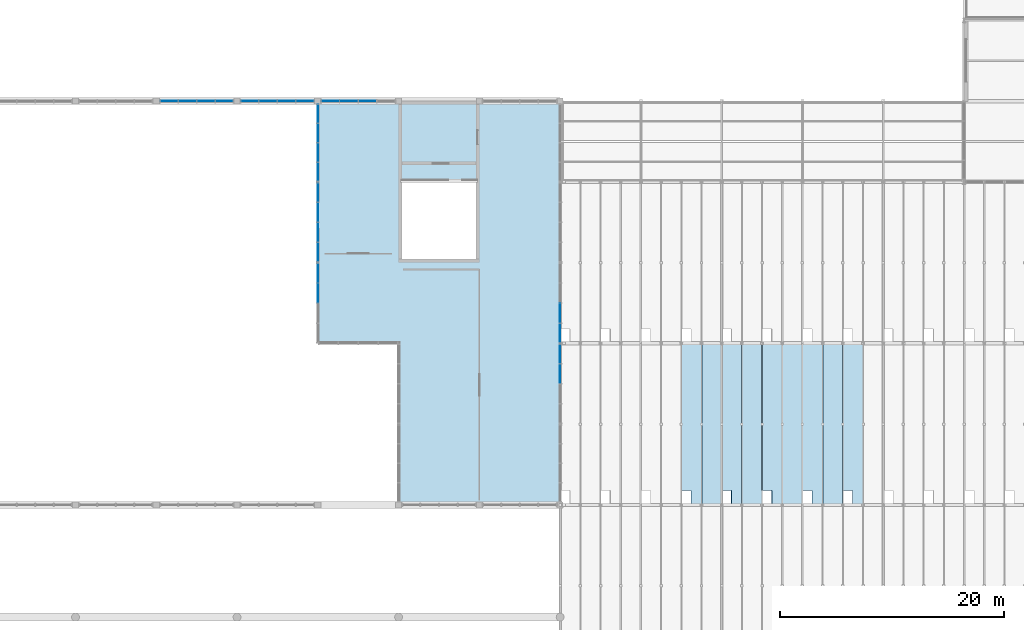
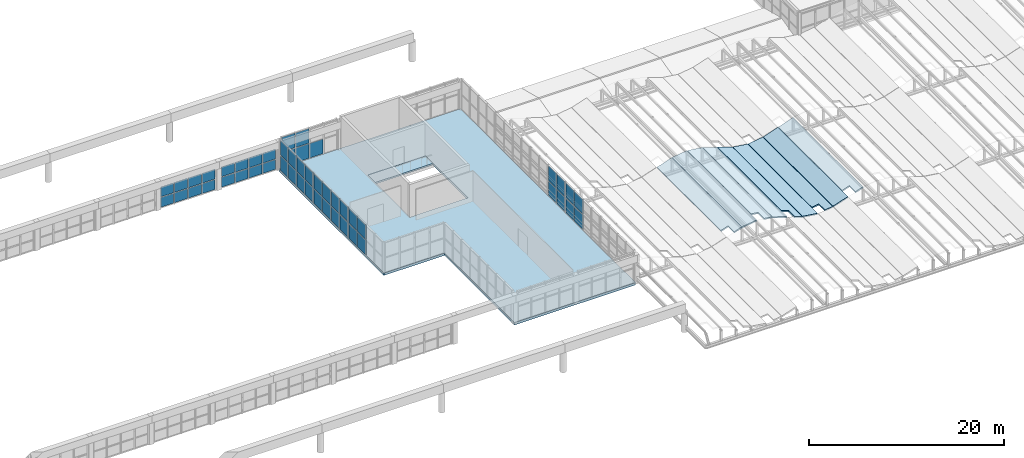
# One storey, part 55 of 83: 49 plates, 11 slabs, 8 elements without a shape of their own.
"""IFC4 building model written with IfcOpenShell, lengths in metres."""

from ifc_helpers import new_model, si_unit, direction, frame, origin, origin_2d, place, context, subcontext, project, spatial, polyline, rectangle, outline, extrude, material, layer, layer_set, type_object, element, aggregate, save


model = new_model("IFC4")

# Units and contexts
model_context = context("Model", 3, precision=1e-05, world=origin(), true_north=direction((0.0, 1.0)))
body_context = subcontext(model_context, "Body", "Model", "MODEL_VIEW")
ifc_project = project(units=[si_unit("LENGTHUNIT", "METRE"), si_unit("AREAUNIT", "SQUARE_METRE"), si_unit("VOLUMEUNIT", "CUBIC_METRE"), si_unit("PLANEANGLEUNIT", "RADIAN"), si_unit("MASSUNIT", "GRAM", prefix="KILO")], contexts=[model_context])

# Site, building, storey
site_placement = place(None, origin())
site = spatial("IfcSite", under=ifc_project, at=site_placement, CompositionType="ELEMENT")
building_placement = place(site_placement, origin())
building = spatial("IfcBuilding", under=site, at=building_placement, Name="Leyfeld Transit Interchange", CompositionType="ELEMENT")
storey_placement = place(building_placement, frame((0.0, 0.0, 5.39990234375)))
storey = spatial("IfcBuildingStorey", under=building, at=storey_placement, Name="L01", CompositionType="ELEMENT", Elevation=5.39990234375)

# Curtain wall, plates
ifc_material_1 = material(Name="Anodised aluminium EN AW-6060 T66", Category="aluminium")
curtain_wall_type = type_object("IfcCurtainWallType", Name="CW-SYS-ARC-7200", PredefinedType="NOTDEFINED", material=ifc_material_1)
curtain_wall_1_placement = place(storey_placement, origin())
curtain_wall_1 = element("IfcCurtainWall", 1, at=curtain_wall_1_placement, inside=storey, type_object=curtain_wall_type, Name="Curtain Wall CW-L01-076", PredefinedType="NOTDEFINED")
ifc_material_2 = material(Name="Triple low-E insulated glazing", Category="glass")
ifc_layer_1 = layer(ifc_material_2, 0.0439453125, Name="Triple low-E insulated glazing")
ifc_layer_set_1 = layer_set([ifc_layer_1], Name="Triple low-E insulated glazing")
plate_type = type_object("IfcPlateType", Name="CW-PNL-GLZ-44", PredefinedType="CURTAIN_PANEL", material=ifc_layer_set_1)
plate_1_placement = place(storey_placement, frame((79.199951171875, 33.29248046875, 0.08349609375), z_axis=(0.0, 0.0, 1.0), x_axis=(0.0, 1.0, 0.0)))
plate_1 = element("IfcPlate", 2, at=plate_1_placement, type_object=plate_type, Name="Glazed Curtain Panel CW-L01-076-P03_1", PredefinedType="CURTAIN_PANEL", context=body_context, shape_type="SweptSolid", body=[
    extrude(rectangle(XDim=1.702880859375, YDim=0.0439453125, at=origin_2d()), origin(), (0.0, 0.0, 1.0), 1.825439453125),
])
plate_2_placement = place(storey_placement, frame((79.199951171875, 33.29248046875, 1.9912109375), z_axis=(0.0, 0.0, 1.0), x_axis=(0.0, 1.0, 0.0)))
plate_2 = element("IfcPlate", 3, at=plate_2_placement, type_object=plate_type, Name="Glazed Curtain Panel CW-L01-076-P03_2", PredefinedType="CURTAIN_PANEL", context=body_context, shape_type="SweptSolid", body=[
    extrude(rectangle(XDim=1.702880859375, YDim=0.0439453125, at=origin_2d()), origin(), (0.0, 0.0, 1.0), 1.825439453125),
])
plate_3_placement = place(storey_placement, frame((79.199951171875, 35.05615234375, 0.08349609375), z_axis=(0.0, 0.0, 1.0), x_axis=(0.0, 1.0, 0.0)))
plate_3 = element("IfcPlate", 4, at=plate_3_placement, type_object=plate_type, Name="Glazed Curtain Panel CW-L01-076-P04_1", PredefinedType="CURTAIN_PANEL", context=body_context, shape_type="SweptSolid", body=[
    extrude(rectangle(XDim=1.660400390625, YDim=0.0439453125, at=origin_2d()), origin(), (0.0, 0.0, 1.0), 1.825439453125),
])
plate_4_placement = place(storey_placement, frame((79.199951171875, 35.05615234375, 1.9912109375), z_axis=(0.0, 0.0, 1.0), x_axis=(0.0, 1.0, 0.0)))
plate_4 = element("IfcPlate", 5, at=plate_4_placement, type_object=plate_type, Name="Glazed Curtain Panel CW-L01-076-P04_2", PredefinedType="CURTAIN_PANEL", context=body_context, shape_type="SweptSolid", body=[
    extrude(rectangle(XDim=1.660400390625, YDim=0.0439453125, at=origin_2d()), origin(), (0.0, 0.0, 1.0), 1.825439453125),
])
aggregate(curtain_wall_1, [plate_1, plate_2, plate_3, plate_4])

curtain_wall_2_placement = place(storey_placement, origin())
curtain_wall_2 = element("IfcCurtainWall", 6, at=curtain_wall_2_placement, inside=storey, type_object=curtain_wall_type, Name="Curtain Wall CW-L01-077", PredefinedType="NOTDEFINED")
plate_5_placement = place(storey_placement, frame((79.199951171875, 36.94384765625, 0.08349609375), z_axis=(0.0, 0.0, 1.0), x_axis=(0.0, 1.0, 0.0)))
plate_5 = element("IfcPlate", 7, at=plate_5_placement, type_object=plate_type, Name="Glazed Curtain Panel CW-L01-077-P01_1", PredefinedType="CURTAIN_PANEL", context=body_context, shape_type="SweptSolid", body=[
    extrude(rectangle(XDim=1.660400390625, YDim=0.0439453125, at=origin_2d()), origin(), (0.0, 0.0, 1.0), 1.825439453125),
])
plate_6_placement = place(storey_placement, frame((79.199951171875, 36.94384765625, 1.9912109375), z_axis=(0.0, 0.0, 1.0), x_axis=(0.0, 1.0, 0.0)))
plate_6 = element("IfcPlate", 8, at=plate_6_placement, type_object=plate_type, Name="Glazed Curtain Panel CW-L01-077-P01_2", PredefinedType="CURTAIN_PANEL", context=body_context, shape_type="SweptSolid", body=[
    extrude(rectangle(XDim=1.660400390625, YDim=0.0439453125, at=origin_2d()), origin(), (0.0, 0.0, 1.0), 1.825439453125),
])
plate_7_placement = place(storey_placement, frame((79.199951171875, 38.70751953125, 0.08349609375), z_axis=(0.0, 0.0, 1.0), x_axis=(0.0, 1.0, 0.0)))
plate_7 = element("IfcPlate", 9, at=plate_7_placement, type_object=plate_type, Name="Glazed Curtain Panel CW-L01-077-P02_1", PredefinedType="CURTAIN_PANEL", context=body_context, shape_type="SweptSolid", body=[
    extrude(rectangle(XDim=1.702880859375, YDim=0.0439453125, at=origin_2d()), origin(), (0.0, 0.0, 1.0), 1.825439453125),
])
plate_8_placement = place(storey_placement, frame((79.199951171875, 38.70751953125, 1.9912109375), z_axis=(0.0, 0.0, 1.0), x_axis=(0.0, 1.0, 0.0)))
plate_8 = element("IfcPlate", 10, at=plate_8_placement, type_object=plate_type, Name="Glazed Curtain Panel CW-L01-077-P02_2", PredefinedType="CURTAIN_PANEL", context=body_context, shape_type="SweptSolid", body=[
    extrude(rectangle(XDim=1.702880859375, YDim=0.0439453125, at=origin_2d()), origin(), (0.0, 0.0, 1.0), 1.825439453125),
])
plate_9_placement = place(storey_placement, frame((79.199951171875, 40.492431640625, 0.08349609375), z_axis=(0.0, 0.0, 1.0), x_axis=(0.0, 1.0, 0.0)))
plate_9 = element("IfcPlate", 11, at=plate_9_placement, type_object=plate_type, Name="Glazed Curtain Panel CW-L01-077-P03_1", PredefinedType="CURTAIN_PANEL", context=body_context, shape_type="SweptSolid", body=[
    extrude(rectangle(XDim=1.702880859375, YDim=0.0439453125, at=origin_2d()), origin(), (0.0, 0.0, 1.0), 1.825439453125),
])
plate_10_placement = place(storey_placement, frame((79.199951171875, 40.492431640625, 1.9912109375), z_axis=(0.0, 0.0, 1.0), x_axis=(0.0, 1.0, 0.0)))
plate_10 = element("IfcPlate", 12, at=plate_10_placement, type_object=plate_type, Name="Glazed Curtain Panel CW-L01-077-P03_2", PredefinedType="CURTAIN_PANEL", context=body_context, shape_type="SweptSolid", body=[
    extrude(rectangle(XDim=1.702880859375, YDim=0.0439453125, at=origin_2d()), origin(), (0.0, 0.0, 1.0), 1.825439453125),
])
plate_11_placement = place(storey_placement, frame((79.199951171875, 42.25634765625, 0.08349609375), z_axis=(0.0, 0.0, 1.0), x_axis=(0.0, 1.0, 0.0)))
plate_11 = element("IfcPlate", 13, at=plate_11_placement, type_object=plate_type, Name="Glazed Curtain Panel CW-L01-077-P04_1", PredefinedType="CURTAIN_PANEL", context=body_context, shape_type="SweptSolid", body=[
    extrude(rectangle(XDim=1.660400390625, YDim=0.0439453125, at=origin_2d()), origin(), (0.0, 0.0, 1.0), 1.825439453125),
])
plate_12_placement = place(storey_placement, frame((79.199951171875, 42.25634765625, 1.9912109375), z_axis=(0.0, 0.0, 1.0), x_axis=(0.0, 1.0, 0.0)))
plate_12 = element("IfcPlate", 14, at=plate_12_placement, type_object=plate_type, Name="Glazed Curtain Panel CW-L01-077-P04_2", PredefinedType="CURTAIN_PANEL", context=body_context, shape_type="SweptSolid", body=[
    extrude(rectangle(XDim=1.660400390625, YDim=0.0439453125, at=origin_2d()), origin(), (0.0, 0.0, 1.0), 1.825439453125),
])
aggregate(curtain_wall_2, [plate_5, plate_6, plate_7, plate_8, plate_9, plate_10, plate_11, plate_12])

curtain_wall_3_placement = place(storey_placement, origin())
curtain_wall_3 = element("IfcCurtainWall", 15, at=curtain_wall_3_placement, inside=storey, type_object=curtain_wall_type, Name="Curtain Wall CW-L01-078", PredefinedType="NOTDEFINED")
plate_13_placement = place(storey_placement, frame((79.199951171875, 44.114501953125, 0.08349609375), z_axis=(0.0, 0.0, 1.0), x_axis=(0.0, 1.0, 0.0)))
plate_13 = element("IfcPlate", 16, at=plate_13_placement, type_object=plate_type, Name="Glazed Curtain Panel CW-L01-078-P01_1", PredefinedType="CURTAIN_PANEL", context=body_context, shape_type="SweptSolid", body=[
    extrude(rectangle(XDim=1.601806640625, YDim=0.0439453125, at=origin_2d()), origin(), (0.0, 0.0, 1.0), 1.825439453125),
])
plate_14_placement = place(storey_placement, frame((79.199951171875, 44.114501953125, 1.9912109375), z_axis=(0.0, 0.0, 1.0), x_axis=(0.0, 1.0, 0.0)))
plate_14 = element("IfcPlate", 17, at=plate_14_placement, type_object=plate_type, Name="Glazed Curtain Panel CW-L01-078-P01_2", PredefinedType="CURTAIN_PANEL", context=body_context, shape_type="SweptSolid", body=[
    extrude(rectangle(XDim=1.601806640625, YDim=0.0439453125, at=origin_2d()), origin(), (0.0, 0.0, 1.0), 1.825439453125),
])
plate_15_placement = place(storey_placement, frame((79.199951171875, 45.8193359375, 0.08349609375), z_axis=(0.0, 0.0, 1.0), x_axis=(0.0, 1.0, 0.0)))
plate_15 = element("IfcPlate", 18, at=plate_15_placement, type_object=plate_type, Name="Glazed Curtain Panel CW-L01-078-P02_1", PredefinedType="CURTAIN_PANEL", context=body_context, shape_type="SweptSolid", body=[
    extrude(rectangle(XDim=1.644287109375, YDim=0.0439453125, at=origin_2d()), origin(), (0.0, 0.0, 1.0), 1.825439453125),
])
plate_16_placement = place(storey_placement, frame((79.199951171875, 45.8193359375, 1.9912109375), z_axis=(0.0, 0.0, 1.0), x_axis=(0.0, 1.0, 0.0)))
plate_16 = element("IfcPlate", 19, at=plate_16_placement, type_object=plate_type, Name="Glazed Curtain Panel CW-L01-078-P02_2", PredefinedType="CURTAIN_PANEL", context=body_context, shape_type="SweptSolid", body=[
    extrude(rectangle(XDim=1.644287109375, YDim=0.0439453125, at=origin_2d()), origin(), (0.0, 0.0, 1.0), 1.825439453125),
])
plate_17_placement = place(storey_placement, frame((79.199951171875, 47.545654296875, 0.08349609375), z_axis=(0.0, 0.0, 1.0), x_axis=(0.0, 1.0, 0.0)))
plate_17 = element("IfcPlate", 20, at=plate_17_placement, type_object=plate_type, Name="Glazed Curtain Panel CW-L01-078-P03_1", PredefinedType="CURTAIN_PANEL", context=body_context, shape_type="SweptSolid", body=[
    extrude(rectangle(XDim=1.644287109375, YDim=0.0439453125, at=origin_2d()), origin(), (0.0, 0.0, 1.0), 1.825439453125),
])
plate_18_placement = place(storey_placement, frame((79.199951171875, 47.545654296875, 1.9912109375), z_axis=(0.0, 0.0, 1.0), x_axis=(0.0, 1.0, 0.0)))
plate_18 = element("IfcPlate", 21, at=plate_18_placement, type_object=plate_type, Name="Glazed Curtain Panel CW-L01-078-P03_2", PredefinedType="CURTAIN_PANEL", context=body_context, shape_type="SweptSolid", body=[
    extrude(rectangle(XDim=1.644287109375, YDim=0.0439453125, at=origin_2d()), origin(), (0.0, 0.0, 1.0), 1.825439453125),
])
plate_19_placement = place(storey_placement, frame((79.199951171875, 49.25048828125, 0.08349609375), z_axis=(0.0, 0.0, 1.0), x_axis=(0.0, 1.0, 0.0)))
plate_19 = element("IfcPlate", 22, at=plate_19_placement, type_object=plate_type, Name="Glazed Curtain Panel CW-L01-078-P04_1", PredefinedType="CURTAIN_PANEL", context=body_context, shape_type="SweptSolid", body=[
    extrude(rectangle(XDim=1.601806640625, YDim=0.0439453125, at=origin_2d()), origin(), (0.0, 0.0, 1.0), 1.825439453125),
])
plate_20_placement = place(storey_placement, frame((79.199951171875, 49.25048828125, 1.9912109375), z_axis=(0.0, 0.0, 1.0), x_axis=(0.0, 1.0, 0.0)))
plate_20 = element("IfcPlate", 23, at=plate_20_placement, type_object=plate_type, Name="Glazed Curtain Panel CW-L01-078-P04_2", PredefinedType="CURTAIN_PANEL", context=body_context, shape_type="SweptSolid", body=[
    extrude(rectangle(XDim=1.601806640625, YDim=0.0439453125, at=origin_2d()), origin(), (0.0, 0.0, 1.0), 1.825439453125),
])
aggregate(curtain_wall_3, [plate_13, plate_14, plate_15, plate_16, plate_17, plate_18, plate_19, plate_20])

curtain_wall_4_placement = place(storey_placement, origin())
curtain_wall_4 = element("IfcCurtainWall", 24, at=curtain_wall_4_placement, inside=storey, type_object=curtain_wall_type, Name="Curtain Wall CW-L01-079", PredefinedType="NOTDEFINED")
plate_21_placement = place(storey_placement, frame((80.320068359375, 50.39990234375, 0.08349609375), z_axis=(0.0, 0.0, 1.0), x_axis=(1.0, 0.0, 0.0)))
plate_21 = element("IfcPlate", 25, at=plate_21_placement, type_object=plate_type, Name="Glazed Curtain Panel CW-L01-079-P01_1", PredefinedType="CURTAIN_PANEL", context=body_context, shape_type="SweptSolid", body=[
    extrude(rectangle(XDim=1.54296875, YDim=0.0439453125, at=origin_2d()), origin(), (0.0, 0.0, 1.0), 1.825439453125),
])
plate_22_placement = place(storey_placement, frame((80.320068359375, 50.39990234375, 1.9912109375), z_axis=(0.0, 0.0, 1.0), x_axis=(1.0, 0.0, 0.0)))
plate_22 = element("IfcPlate", 26, at=plate_22_placement, type_object=plate_type, Name="Glazed Curtain Panel CW-L01-079-P01_2", PredefinedType="CURTAIN_PANEL", context=body_context, shape_type="SweptSolid", body=[
    extrude(rectangle(XDim=1.54296875, YDim=0.0439453125, at=origin_2d()), origin(), (0.0, 0.0, 1.0), 1.825439453125),
])
plate_23_placement = place(storey_placement, frame((81.96630859375, 50.39990234375, 0.08349609375), z_axis=(0.0, 0.0, 1.0), x_axis=(1.0, 0.0, 0.0)))
plate_23 = element("IfcPlate", 27, at=plate_23_placement, type_object=plate_type, Name="Glazed Curtain Panel CW-L01-079-P02_1", PredefinedType="CURTAIN_PANEL", context=body_context, shape_type="SweptSolid", body=[
    extrude(rectangle(XDim=1.58544921875, YDim=0.0439453125, at=origin_2d()), origin(), (0.0, 0.0, 1.0), 1.825439453125),
])
plate_24_placement = place(storey_placement, frame((81.96630859375, 50.39990234375, 1.9912109375), z_axis=(0.0, 0.0, 1.0), x_axis=(1.0, 0.0, 0.0)))
plate_24 = element("IfcPlate", 28, at=plate_24_placement, type_object=plate_type, Name="Glazed Curtain Panel CW-L01-079-P02_2", PredefinedType="CURTAIN_PANEL", context=body_context, shape_type="SweptSolid", body=[
    extrude(rectangle(XDim=1.58544921875, YDim=0.0439453125, at=origin_2d()), origin(), (0.0, 0.0, 1.0), 1.825439453125),
])
plate_25_placement = place(storey_placement, frame((83.6337890625, 50.39990234375, 0.08349609375), z_axis=(0.0, 0.0, 1.0), x_axis=(1.0, 0.0, 0.0)))
plate_25 = element("IfcPlate", 29, at=plate_25_placement, type_object=plate_type, Name="Glazed Curtain Panel CW-L01-079-P03_1", PredefinedType="CURTAIN_PANEL", context=body_context, shape_type="SweptSolid", body=[
    extrude(rectangle(XDim=1.58544921875, YDim=0.0439453125, at=origin_2d()), origin(), (0.0, 0.0, 1.0), 1.825439453125),
])
aggregate(curtain_wall_4, [plate_21, plate_22, plate_23, plate_24, plate_25])

curtain_wall_5_placement = place(storey_placement, origin())
curtain_wall_5 = element("IfcCurtainWall", 30, at=curtain_wall_5_placement, inside=storey, type_object=curtain_wall_type, Name="Curtain Wall CW-L01-083", PredefinedType="NOTDEFINED")
plate_26_placement = place(storey_placement, frame((100.800048828125, 31.507568359375, 0.08349609375), z_axis=(0.0, 0.0, 1.0), x_axis=(0.0, -1.0, 0.0)))
plate_26 = element("IfcPlate", 31, at=plate_26_placement, type_object=plate_type, Name="Glazed Curtain Panel CW-L01-083-P03_1", PredefinedType="CURTAIN_PANEL", context=body_context, shape_type="SweptSolid", body=[
    extrude(rectangle(XDim=1.702880859375, YDim=0.0439453125, at=origin_2d()), origin(), (0.0, 0.0, 1.0), 1.825439453125),
])
plate_27_placement = place(storey_placement, frame((100.800048828125, 31.507568359375, 1.9912109375), z_axis=(0.0, 0.0, 1.0), x_axis=(0.0, -1.0, 0.0)))
plate_27 = element("IfcPlate", 32, at=plate_27_placement, type_object=plate_type, Name="Glazed Curtain Panel CW-L01-083-P03_2", PredefinedType="CURTAIN_PANEL", context=body_context, shape_type="SweptSolid", body=[
    extrude(rectangle(XDim=1.702880859375, YDim=0.0439453125, at=origin_2d()), origin(), (0.0, 0.0, 1.0), 1.825439453125),
])
plate_28_placement = place(storey_placement, frame((100.800048828125, 29.74365234375, 0.08349609375), z_axis=(0.0, 0.0, 1.0), x_axis=(0.0, -1.0, 0.0)))
plate_28 = element("IfcPlate", 33, at=plate_28_placement, type_object=plate_type, Name="Glazed Curtain Panel CW-L01-083-P04_1", PredefinedType="CURTAIN_PANEL", context=body_context, shape_type="SweptSolid", body=[
    extrude(rectangle(XDim=1.660400390625, YDim=0.0439453125, at=origin_2d()), origin(), (0.0, 0.0, 1.0), 1.825439453125),
])
plate_29_placement = place(storey_placement, frame((100.800048828125, 29.74365234375, 1.9912109375), z_axis=(0.0, 0.0, 1.0), x_axis=(0.0, -1.0, 0.0)))
plate_29 = element("IfcPlate", 34, at=plate_29_placement, type_object=plate_type, Name="Glazed Curtain Panel CW-L01-083-P04_2", PredefinedType="CURTAIN_PANEL", context=body_context, shape_type="SweptSolid", body=[
    extrude(rectangle(XDim=1.660400390625, YDim=0.0439453125, at=origin_2d()), origin(), (0.0, 0.0, 1.0), 1.825439453125),
])
aggregate(curtain_wall_5, [plate_26, plate_27, plate_28, plate_29])

curtain_wall_6_placement = place(storey_placement, origin())
curtain_wall_6 = element("IfcCurtainWall", 35, at=curtain_wall_6_placement, inside=storey, type_object=curtain_wall_type, Name="Curtain Wall CW-L01-084", PredefinedType="NOTDEFINED")
plate_30_placement = place(storey_placement, frame((100.800048828125, 27.856201171875, 0.08349609375), z_axis=(0.0, 0.0, 1.0), x_axis=(0.0, -1.0, 0.0)))
plate_30 = element("IfcPlate", 36, at=plate_30_placement, type_object=plate_type, Name="Glazed Curtain Panel CW-L01-084-P01_1", PredefinedType="CURTAIN_PANEL", context=body_context, shape_type="SweptSolid", body=[
    extrude(rectangle(XDim=1.660400390625, YDim=0.0439453125, at=origin_2d()), origin(), (0.0, 0.0, 1.0), 1.825439453125),
])
plate_31_placement = place(storey_placement, frame((100.800048828125, 27.856201171875, 1.9912109375), z_axis=(0.0, 0.0, 1.0), x_axis=(0.0, -1.0, 0.0)))
plate_31 = element("IfcPlate", 37, at=plate_31_placement, type_object=plate_type, Name="Glazed Curtain Panel CW-L01-084-P01_2", PredefinedType="CURTAIN_PANEL", context=body_context, shape_type="SweptSolid", body=[
    extrude(rectangle(XDim=1.660400390625, YDim=0.0439453125, at=origin_2d()), origin(), (0.0, 0.0, 1.0), 1.825439453125),
])
plate_32_placement = place(storey_placement, frame((100.800048828125, 26.092529296875, 0.08349609375), z_axis=(0.0, 0.0, 1.0), x_axis=(0.0, -1.0, 0.0)))
plate_32 = element("IfcPlate", 38, at=plate_32_placement, type_object=plate_type, Name="Glazed Curtain Panel CW-L01-084-P02_1", PredefinedType="CURTAIN_PANEL", context=body_context, shape_type="SweptSolid", body=[
    extrude(rectangle(XDim=1.702880859375, YDim=0.0439453125, at=origin_2d()), origin(), (0.0, 0.0, 1.0), 1.825439453125),
])
plate_33_placement = place(storey_placement, frame((100.800048828125, 26.092529296875, 1.9912109375), z_axis=(0.0, 0.0, 1.0), x_axis=(0.0, -1.0, 0.0)))
plate_33 = element("IfcPlate", 39, at=plate_33_placement, type_object=plate_type, Name="Glazed Curtain Panel CW-L01-084-P02_2", PredefinedType="CURTAIN_PANEL", context=body_context, shape_type="SweptSolid", body=[
    extrude(rectangle(XDim=1.702880859375, YDim=0.0439453125, at=origin_2d()), origin(), (0.0, 0.0, 1.0), 1.825439453125),
])
aggregate(curtain_wall_6, [plate_30, plate_31, plate_32, plate_33])

curtain_wall_7_placement = place(storey_placement, origin())
curtain_wall_7 = element("IfcCurtainWall", 40, at=curtain_wall_7_placement, inside=storey, type_object=curtain_wall_type, Name="Curtain Wall CW-L01-CLR-166", PredefinedType="NOTDEFINED")
plate_34_placement = place(storey_placement, frame((70.853759765625, 50.39990234375, 0.08349609375), z_axis=(0.0, 0.0, 1.0), x_axis=(-1.0, 0.0, 0.0)))
plate_34 = element("IfcPlate", 41, at=plate_34_placement, type_object=plate_type, Name="Glazed Curtain Panel CW-L01-CLR-166-P01_1", PredefinedType="CURTAIN_PANEL", context=body_context, shape_type="SweptSolid", body=[
    extrude(rectangle(XDim=1.525390625, YDim=0.0439453125, at=origin_2d()), origin(), (0.0, 0.0, 1.0), 1.2255859375),
])
plate_35_placement = place(storey_placement, frame((70.853759765625, 50.39990234375, 1.39111328125), z_axis=(0.0, 0.0, 1.0), x_axis=(-1.0, 0.0, 0.0)))
plate_35 = element("IfcPlate", 42, at=plate_35_placement, type_object=plate_type, Name="Glazed Curtain Panel CW-L01-CLR-166-P01_2", PredefinedType="CURTAIN_PANEL", context=body_context, shape_type="SweptSolid", body=[
    extrude(rectangle(XDim=1.525390625, YDim=0.0439453125, at=origin_2d()), origin(), (0.0, 0.0, 1.0), 1.2255859375),
])
plate_36_placement = place(storey_placement, frame((69.22509765625, 50.39990234375, 0.08349609375), z_axis=(0.0, 0.0, 1.0), x_axis=(-1.0, 0.0, 0.0)))
plate_36 = element("IfcPlate", 43, at=plate_36_placement, type_object=plate_type, Name="Glazed Curtain Panel CW-L01-CLR-166-P02_1", PredefinedType="CURTAIN_PANEL", context=body_context, shape_type="SweptSolid", body=[
    extrude(rectangle(XDim=1.568115234375, YDim=0.0439453125, at=origin_2d()), origin(), (0.0, 0.0, 1.0), 1.2255859375),
])
plate_37_placement = place(storey_placement, frame((69.22509765625, 50.39990234375, 1.39111328125), z_axis=(0.0, 0.0, 1.0), x_axis=(-1.0, 0.0, 0.0)))
plate_37 = element("IfcPlate", 44, at=plate_37_placement, type_object=plate_type, Name="Glazed Curtain Panel CW-L01-CLR-166-P02_2", PredefinedType="CURTAIN_PANEL", context=body_context, shape_type="SweptSolid", body=[
    extrude(rectangle(XDim=1.568115234375, YDim=0.0439453125, at=origin_2d()), origin(), (0.0, 0.0, 1.0), 1.2255859375),
])
plate_38_placement = place(storey_placement, frame((67.574951171875, 50.39990234375, 0.08349609375), z_axis=(0.0, 0.0, 1.0), x_axis=(-1.0, 0.0, 0.0)))
plate_38 = element("IfcPlate", 45, at=plate_38_placement, type_object=plate_type, Name="Glazed Curtain Panel CW-L01-CLR-166-P03_1", PredefinedType="CURTAIN_PANEL", context=body_context, shape_type="SweptSolid", body=[
    extrude(rectangle(XDim=1.568115234375, YDim=0.0439453125, at=origin_2d()), origin(), (0.0, 0.0, 1.0), 1.2255859375),
])
plate_39_placement = place(storey_placement, frame((67.574951171875, 50.39990234375, 1.39111328125), z_axis=(0.0, 0.0, 1.0), x_axis=(-1.0, 0.0, 0.0)))
plate_39 = element("IfcPlate", 46, at=plate_39_placement, type_object=plate_type, Name="Glazed Curtain Panel CW-L01-CLR-166-P03_2", PredefinedType="CURTAIN_PANEL", context=body_context, shape_type="SweptSolid", body=[
    extrude(rectangle(XDim=1.568115234375, YDim=0.0439453125, at=origin_2d()), origin(), (0.0, 0.0, 1.0), 1.2255859375),
])
plate_40_placement = place(storey_placement, frame((65.9462890625, 50.39990234375, 0.08349609375), z_axis=(0.0, 0.0, 1.0), x_axis=(-1.0, 0.0, 0.0)))
plate_40 = element("IfcPlate", 47, at=plate_40_placement, type_object=plate_type, Name="Glazed Curtain Panel CW-L01-CLR-166-P04_1", PredefinedType="CURTAIN_PANEL", context=body_context, shape_type="SweptSolid", body=[
    extrude(rectangle(XDim=1.525390625, YDim=0.0439453125, at=origin_2d()), origin(), (0.0, 0.0, 1.0), 1.2255859375),
])
plate_41_placement = place(storey_placement, frame((65.9462890625, 50.39990234375, 1.39111328125), z_axis=(0.0, 0.0, 1.0), x_axis=(-1.0, 0.0, 0.0)))
plate_41 = element("IfcPlate", 48, at=plate_41_placement, type_object=plate_type, Name="Glazed Curtain Panel CW-L01-CLR-166-P04_2", PredefinedType="CURTAIN_PANEL", context=body_context, shape_type="SweptSolid", body=[
    extrude(rectangle(XDim=1.525390625, YDim=0.0439453125, at=origin_2d()), origin(), (0.0, 0.0, 1.0), 1.2255859375),
])
aggregate(curtain_wall_7, [plate_34, plate_35, plate_36, plate_37, plate_38, plate_39, plate_40, plate_41])

curtain_wall_8_placement = place(storey_placement, origin())
curtain_wall_8 = element("IfcCurtainWall", 49, at=curtain_wall_8_placement, inside=storey, type_object=curtain_wall_type, Name="Curtain Wall CW-L01-CLR-167", PredefinedType="NOTDEFINED")
plate_42_placement = place(storey_placement, frame((78.0537109375, 50.39990234375, 0.08349609375), z_axis=(0.0, 0.0, 1.0), x_axis=(-1.0, 0.0, 0.0)))
plate_42 = element("IfcPlate", 50, at=plate_42_placement, type_object=plate_type, Name="Glazed Curtain Panel CW-L01-CLR-167-P01_1", PredefinedType="CURTAIN_PANEL", context=body_context, shape_type="SweptSolid", body=[
    extrude(rectangle(XDim=1.525390625, YDim=0.0439453125, at=origin_2d()), origin(), (0.0, 0.0, 1.0), 1.2255859375),
])
plate_43_placement = place(storey_placement, frame((78.0537109375, 50.39990234375, 1.39111328125), z_axis=(0.0, 0.0, 1.0), x_axis=(-1.0, 0.0, 0.0)))
plate_43 = element("IfcPlate", 51, at=plate_43_placement, type_object=plate_type, Name="Glazed Curtain Panel CW-L01-CLR-167-P01_2", PredefinedType="CURTAIN_PANEL", context=body_context, shape_type="SweptSolid", body=[
    extrude(rectangle(XDim=1.525390625, YDim=0.0439453125, at=origin_2d()), origin(), (0.0, 0.0, 1.0), 1.2255859375),
])
plate_44_placement = place(storey_placement, frame((76.425048828125, 50.39990234375, 0.08349609375), z_axis=(0.0, 0.0, 1.0), x_axis=(-1.0, 0.0, 0.0)))
plate_44 = element("IfcPlate", 52, at=plate_44_placement, type_object=plate_type, Name="Glazed Curtain Panel CW-L01-CLR-167-P02_1", PredefinedType="CURTAIN_PANEL", context=body_context, shape_type="SweptSolid", body=[
    extrude(rectangle(XDim=1.568115234375, YDim=0.0439453125, at=origin_2d()), origin(), (0.0, 0.0, 1.0), 1.2255859375),
])
plate_45_placement = place(storey_placement, frame((76.425048828125, 50.39990234375, 1.39111328125), z_axis=(0.0, 0.0, 1.0), x_axis=(-1.0, 0.0, 0.0)))
plate_45 = element("IfcPlate", 53, at=plate_45_placement, type_object=plate_type, Name="Glazed Curtain Panel CW-L01-CLR-167-P02_2", PredefinedType="CURTAIN_PANEL", context=body_context, shape_type="SweptSolid", body=[
    extrude(rectangle(XDim=1.568115234375, YDim=0.0439453125, at=origin_2d()), origin(), (0.0, 0.0, 1.0), 1.2255859375),
])
plate_46_placement = place(storey_placement, frame((74.77490234375, 50.39990234375, 0.08349609375), z_axis=(0.0, 0.0, 1.0), x_axis=(-1.0, 0.0, 0.0)))
plate_46 = element("IfcPlate", 54, at=plate_46_placement, type_object=plate_type, Name="Glazed Curtain Panel CW-L01-CLR-167-P03_1", PredefinedType="CURTAIN_PANEL", context=body_context, shape_type="SweptSolid", body=[
    extrude(rectangle(XDim=1.568115234375, YDim=0.0439453125, at=origin_2d()), origin(), (0.0, 0.0, 1.0), 1.2255859375),
])
plate_47_placement = place(storey_placement, frame((74.77490234375, 50.39990234375, 1.39111328125), z_axis=(0.0, 0.0, 1.0), x_axis=(-1.0, 0.0, 0.0)))
plate_47 = element("IfcPlate", 55, at=plate_47_placement, type_object=plate_type, Name="Glazed Curtain Panel CW-L01-CLR-167-P03_2", PredefinedType="CURTAIN_PANEL", context=body_context, shape_type="SweptSolid", body=[
    extrude(rectangle(XDim=1.568115234375, YDim=0.0439453125, at=origin_2d()), origin(), (0.0, 0.0, 1.0), 1.2255859375),
])
plate_48_placement = place(storey_placement, frame((73.146240234375, 50.39990234375, 0.08349609375), z_axis=(0.0, 0.0, 1.0), x_axis=(-1.0, 0.0, 0.0)))
plate_48 = element("IfcPlate", 56, at=plate_48_placement, type_object=plate_type, Name="Glazed Curtain Panel CW-L01-CLR-167-P04_1", PredefinedType="CURTAIN_PANEL", context=body_context, shape_type="SweptSolid", body=[
    extrude(rectangle(XDim=1.525390625, YDim=0.0439453125, at=origin_2d()), origin(), (0.0, 0.0, 1.0), 1.2255859375),
])
plate_49_placement = place(storey_placement, frame((73.146240234375, 50.39990234375, 1.39111328125), z_axis=(0.0, 0.0, 1.0), x_axis=(-1.0, 0.0, 0.0)))
plate_49 = element("IfcPlate", 57, at=plate_49_placement, type_object=plate_type, Name="Glazed Curtain Panel CW-L01-CLR-167-P04_2", PredefinedType="CURTAIN_PANEL", context=body_context, shape_type="SweptSolid", body=[
    extrude(rectangle(XDim=1.525390625, YDim=0.0439453125, at=origin_2d()), origin(), (0.0, 0.0, 1.0), 1.2255859375),
])
aggregate(curtain_wall_8, [plate_42, plate_43, plate_44, plate_45, plate_46, plate_47, plate_48, plate_49])

# Slabs
ifc_material_3 = material(Name="Concrete C35/45", Category="concrete")
ifc_layer_2 = layer(ifc_material_3, 0.300048828125, Name="Concrete C35/45")
ifc_layer_set_2 = layer_set([ifc_layer_2], Name="Concrete C35/45")
slab_type_1 = type_object("IfcSlabType", Name="SLB-FLR-300", PredefinedType="FLOOR", material=ifc_layer_set_2)
slab_1_placement = place(storey_placement, frame((0.0, 0.0, -0.2998046875)))
element("IfcSlab", 58, at=slab_1_placement, inside=storey, type_object=slab_type_1, Name="Slab V1_E L01 B1", PredefinedType="FLOOR", context=body_context, shape_type="SweptSolid", body=[
    extrude(outline(polyline([(100.77490234375, 14.39990234375), (100.77490234375, 50.39990234375), (86.39990234375, 50.39990234375), (79.199951171875, 50.39990234375), (79.199951171875, 28.800048828125), (86.39990234375, 28.800048828125), (86.39990234375, 14.39990234375), (100.77490234375, 14.39990234375)]), holes=[polyline([(93.43994140625, 36.159912109375), (86.56005859375, 36.159912109375), (86.56005859375, 44.85009765625), (93.43994140625, 44.85009765625), (93.43994140625, 36.159912109375)])]), origin(), (0.0, 0.0, 1.0), 0.2998046875),
])
ifc_material_4 = material(Name="Precast concrete C40/50", Category="concrete")
ifc_layer_3 = layer(ifc_material_4, 0.199951171875, Name="Precast concrete C40/50")
ifc_layer_set_3 = layer_set([ifc_layer_3], Name="Precast concrete C40/50")
slab_type_2 = type_object("IfcSlabType", Name="SLB-LND-200", PredefinedType="LANDING", material=ifc_layer_set_3)
slab_2_placement = place(storey_placement, frame((0.0, 0.0, -0.199951171875)))
element("IfcSlab", 59, at=slab_2_placement, inside=storey, type_object=slab_type_2, Name="Core K7 Stair Floor Landing L01", PredefinedType="LANDING", context=body_context, shape_type="SweptSolid", body=[
    extrude(outline(polyline([(86.56494140625, 43.300048828125), (93.43505859375, 43.300048828125), (93.43505859375, 44.844970703125), (86.56494140625, 44.844970703125), (86.56494140625, 43.300048828125)])), origin(), (0.0, 0.0, 1.0), 0.199951171875),
])
ifc_layer_4 = layer(ifc_material_4, 0.1650390625, Name="Precast concrete C40/50")
ifc_layer_set_4 = layer_set([ifc_layer_4], Name="Precast concrete C40/50")
slab_type_3 = type_object("IfcSlabType", Name="SLB-WAVE-165", PredefinedType="ROOF", material=ifc_layer_set_4)
slab_3_placement = place(storey_placement, frame((111.6201171875, 15.669921875, 1.95751953125), z_axis=(-0.317094683602, 1.053136e-06, 0.948393885277), x_axis=(0.948393885277, -3.6e-11, 0.317094683602)))
element("IfcSlab", 60, at=slab_3_placement, inside=storey, type_object=slab_type_3, Name="Bus Canopy Wave Shell R2 S7", PredefinedType="ROOF", context=body_context, shape_type="SweptSolid", body=[
    extrude(outline(polyline([(0.0, 0.0), (0.8961077456940829, 0.0), (0.896107745738516, -1.249999999999307), (1.8555227814310307, -1.2499999999361224), (1.8555227809205794, 13.110107421930916), (-4.660181617543322e-10, 13.110107421867731), (0.0, 0.0)])), origin(), (0.0, 0.0, -1.0), 0.1650390625),
])
slab_4_placement = place(storey_placement, frame((113.419921875, 14.419921875, 2.556396484375), z_axis=(-0.137130242691, 0.0, 0.990553025607), x_axis=(0.990553025607, 0.0, 0.137130242691)))
element("IfcSlab", 61, at=slab_4_placement, inside=storey, type_object=slab_type_3, Name="Bus Canopy Wave Shell R2 S8", PredefinedType="ROOF", context=body_context, shape_type="SweptSolid", body=[
    extrude(outline(polyline([(0.0, 0.0), (1.7767951034686682, 0.0), (1.7767951034686682, 14.360107421875), (0.0, 14.360107421875), (0.0, 0.0)])), origin(), (0.0, 0.0, -1.0), 0.1650390625),
])
slab_5_placement = place(storey_placement, frame((115.219970703125, 15.669921875, 2.800048828125), z_axis=(0.137130749105, 3.63351e-07, 0.9905529555), x_axis=(0.9905529555, -4e-12, -0.137130749105)))
element("IfcSlab", 62, at=slab_5_placement, inside=storey, type_object=slab_type_3, Name="Bus Canopy Wave Shell R2 S9", PredefinedType="ROOF", context=body_context, shape_type="SweptSolid", body=[
    extrude(outline(polyline([(0.0, 0.0), (0.8582037138964392, 6.617444900424222e-24), (0.858203713901962, -1.2499999999999176), (1.7767951034739589, -1.2499999999923974), (1.7767951034105125, 13.110107421881656), (-5.792355504934759e-11, 13.110107421874135), (0.0, 0.0)])), origin(), (0.0, 0.0, -1.0), 0.1650390625),
])
slab_6_placement = place(storey_placement, frame((117.02001953125, 14.419921875, 2.5458984375), z_axis=(0.317056465138, 0.0, 0.948406662732), x_axis=(0.948406662732, 0.0, -0.317056465138)))
element("IfcSlab", 63, at=slab_6_placement, inside=storey, type_object=slab_type_3, Name="Bus Canopy Wave Shell R2 S10", PredefinedType="ROOF", context=body_context, shape_type="SweptSolid", body=[
    extrude(outline(polyline([(0.0, 0.0), (1.8557543243692887, 0.0), (1.8557543243692887, 14.360107421875), (0.0, 14.360107421875), (0.0, 0.0)])), origin(), (0.0, 0.0, -1.0), 0.1650390625),
])
slab_7_placement = place(storey_placement, frame((118.820068359375, 15.669921875, 1.942626953125), z_axis=(0.317053383609, -2.411858e-06, 0.948407692892), x_axis=(0.948407692894, -1.86e-10, -0.31705338361)))
element("IfcSlab", 64, at=slab_7_placement, inside=storey, type_object=slab_type_3, Name="Bus Canopy Wave Shell R2 S11", PredefinedType="ROOF", context=body_context, shape_type="SweptSolid", body=[
    extrude(outline(polyline([(0.0, 0.0), (0.8961077435272856, 0.0), (0.8961077437603313, -1.2499999999963645), (1.8557543245925383, -1.2499999996649267), (1.8557543219152897, 13.110107422168308), (-2.4442029618846754e-09, 13.11010742183687), (0.0, 0.0)])), origin(), (0.0, 0.0, -1.0), 0.1650390625),
])
slab_8_placement = place(storey_placement, frame((120.6201171875, 14.419921875, 1.34375), z_axis=(0.137148909592, 0.0, 0.990550441218), x_axis=(0.990550441218, 0.0, -0.137148909592)))
element("IfcSlab", 65, at=slab_8_placement, inside=storey, type_object=slab_type_3, Name="Bus Canopy Wave Shell R2 S12", PredefinedType="ROOF", context=body_context, shape_type="SweptSolid", body=[
    extrude(outline(polyline([(0.0, 0.0), (1.7765532695493567, 0.0), (1.7765532695493567, 14.360107421875), (0.0, 14.360107421875), (0.0, 0.0)])), origin(), (0.0, 0.0, -1.0), 0.1650390625),
])
slab_9_placement = place(storey_placement, frame((122.419921875, 15.669921875, 1.10009765625), z_axis=(-0.137130749105, -3.63351e-07, 0.9905529555), x_axis=(0.9905529555, -4e-12, 0.137130749105)))
element("IfcSlab", 66, at=slab_9_placement, inside=storey, type_object=slab_type_3, Name="Bus Canopy Wave Shell R2 S13", PredefinedType="ROOF", context=body_context, shape_type="SweptSolid", body=[
    extrude(outline(polyline([(0.0, 0.0), (0.8582037138964392, 6.617444900424222e-24), (0.858203713901962, -1.2499999999999176), (1.7767951034739589, -1.2499999999923974), (1.7767951034105125, 13.110107421881656), (-5.792355504934759e-11, 13.110107421874135), (0.0, 0.0)])), origin(), (0.0, 0.0, -1.0), 0.1650390625),
])
slab_10_placement = place(storey_placement, frame((124.219970703125, 14.419921875, 1.354248046875), z_axis=(-0.317056465138, 0.0, 0.948406662732), x_axis=(0.948406662732, 0.0, 0.317056465138)))
element("IfcSlab", 67, at=slab_10_placement, inside=storey, type_object=slab_type_3, Name="Bus Canopy Wave Shell R2 S14", PredefinedType="ROOF", context=body_context, shape_type="SweptSolid", body=[
    extrude(outline(polyline([(0.0, 0.0), (1.8557543243692887, 0.0), (1.8557543243692887, 14.360107421875), (0.0, 14.360107421875), (0.0, 0.0)])), origin(), (0.0, 0.0, -1.0), 0.1650390625),
])
slab_11_placement = place(storey_placement, frame((126.02001953125, 15.669921875, 1.95751953125), z_axis=(-0.317056978235, -4.01592e-07, 0.948406491201), x_axis=(0.948406491201, -5e-12, 0.317056978235)))
element("IfcSlab", 68, at=slab_11_placement, inside=storey, type_object=slab_type_3, Name="Bus Canopy Wave Shell R2 S15", PredefinedType="ROOF", context=body_context, shape_type="SweptSolid", body=[
    extrude(outline(polyline([(0.0, 0.0), (0.8963392883369066, 0.0), (0.896339288343366, -1.2499999999998992), (1.8557543243754762, -1.2499999999907128), (1.8557543243012695, 13.110107421883129), (-6.77471705759284e-11, 13.110107421873941), (0.0, 0.0)])), origin(), (0.0, 0.0, -1.0), 0.1650390625),
])

save(model, "model.ifc")
